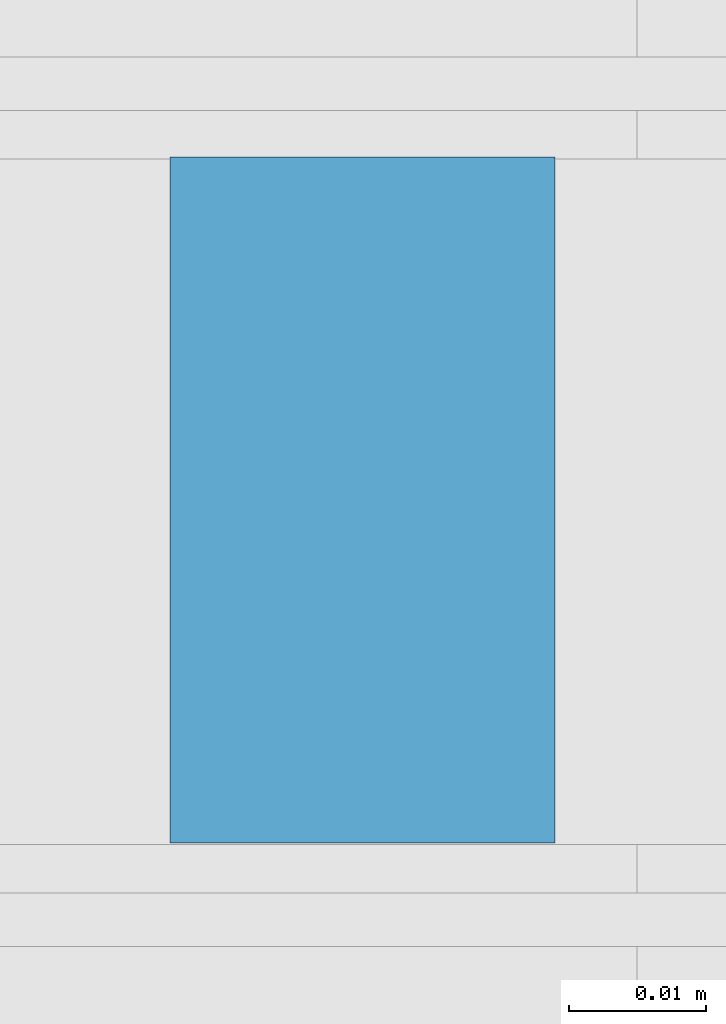
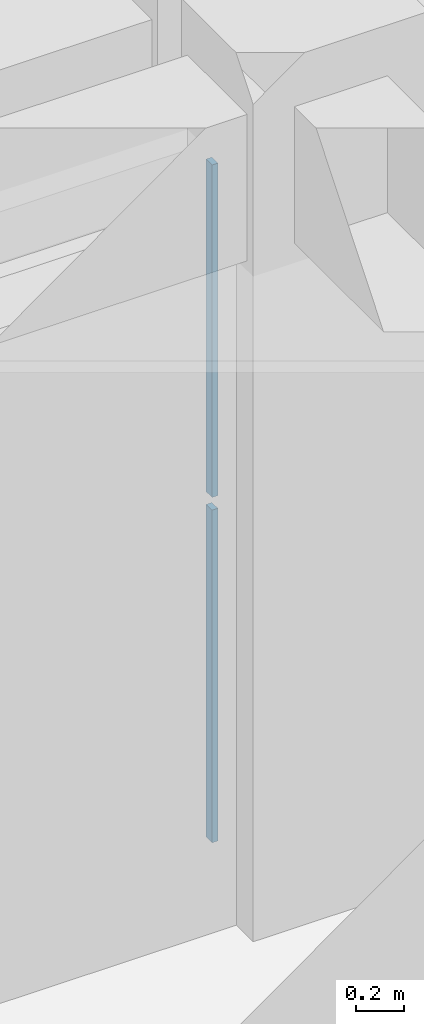
# One storey, part 94 of 129: 2 plates, 1 element without a shape of its own.
"""IFC4 building model written with IfcOpenShell, lengths in metres."""

import ifcopenshell
import ifcopenshell.guid

model = None  # the IFC model being written
_history = None  # IfcOwnerHistory: only IFC2X3 demands one
_inside = {}  # id of a spatial element -> (the spatial element, [elements in it])
_under = {}  # id of a project, library or spatial element -> (it, [spatial elements below it])
_declared = {}  # id of a project -> (the project, [libraries it declares])
_typed = {}  # id of a type object -> (the type object, [elements of that type])
_made_of = {}  # id of a material, layer set ... -> (it, [elements and type objects made of it])


def new_model(schema):
    """Start an empty IFC model of exactly this schema.

    Asked for "IFC4X3", IfcOpenShell would pick the latest addendum, in which some entities
    have other attributes; the version numbers below select the first issue.
    IFC2X3 requires an IfcOwnerHistory on every rooted entity: one is made here for all.
    """
    global model, _history
    if schema == "IFC4X3":
        model = ifcopenshell.file(schema_version=(4, 3, 0, 0))
    else:
        model = ifcopenshell.file(schema=schema)
    _inside.clear()
    _under.clear()
    _declared.clear()
    _typed.clear()
    _made_of.clear()
    _history = None
    if model.schema == "IFC2X3":
        org = make("IfcOrganization", Name="unknown")
        user = make(
            "IfcPersonAndOrganization",
            ThePerson=make("IfcPerson", FamilyName="unknown"),
            TheOrganization=org,
        )
        app = make(
            "IfcApplication",
            ApplicationDeveloper=org,
            Version="unknown",
            ApplicationFullName="unknown",
            ApplicationIdentifier="unknown",
        )
        _history = make(
            "IfcOwnerHistory",
            OwningUser=user,
            OwningApplication=app,
            ChangeAction="ADDED",
            CreationDate=0,
        )
    return model


def make(cls, **values):
    """One entity of the class cls with the attributes given. An attribute that is None is left unset."""
    return model.create_entity(
        cls, **{name: value for name, value in values.items() if value is not None}
    )


def rooted(cls, **values):
    """An entity with a GlobalId (a new one), such as an element, a storey or a relation."""
    return make(cls, GlobalId=ifcopenshell.guid.new(), OwnerHistory=_history, **values)


def si_unit(unit_type, name, prefix=None):
    """IfcSIUnit, for example si_unit("LENGTHUNIT", "METRE", prefix="MILLI")."""
    return make("IfcSIUnit", UnitType=unit_type, Prefix=prefix, Name=name)


def assignment(units):
    """IfcUnitAssignment: the units of a project."""
    return None if units is None else make("IfcUnitAssignment", Units=units)


def point(xyz):
    """IfcCartesianPoint."""
    return None if xyz is None else make("IfcCartesianPoint", Coordinates=xyz)


def direction(xyz):
    """IfcDirection."""
    return None if xyz is None else make("IfcDirection", DirectionRatios=xyz)


def frame(location, z_axis=None, x_axis=None):
    """IfcAxis2Placement3D, a coordinate frame: its origin and axes. An axis left out is left unset."""
    return make(
        "IfcAxis2Placement3D",
        Location=point(location),
        Axis=direction(z_axis),
        RefDirection=direction(x_axis),
    )


def frame_2d(location, x_axis=None):
    """IfcAxis2Placement2D, a coordinate frame in the plane: its origin and x axis."""
    return make(
        "IfcAxis2Placement2D", Location=point(location), RefDirection=direction(x_axis)
    )


def origin():
    """The frame at (0, 0, 0) with its axes left unset."""
    return frame((0.0, 0.0, 0.0))


def origin_2d():
    """The frame at (0, 0) in the plane with its x axis left unset."""
    return frame_2d((0.0, 0.0))


def place(relative_to, where):
    """IfcLocalPlacement: puts the frame where relative to a parent placement (None: the world)."""
    return make(
        "IfcLocalPlacement", PlacementRelTo=relative_to, RelativePlacement=where
    )


def context(
    kind, dimensions, precision=None, world=None, true_north=None, identifier=None
):
    """IfcGeometricRepresentationContext, for example the 3D "Model" context."""
    return make(
        "IfcGeometricRepresentationContext",
        ContextIdentifier=identifier,
        ContextType=kind,
        CoordinateSpaceDimension=dimensions,
        Precision=precision,
        WorldCoordinateSystem=world,
        TrueNorth=true_north,
    )


def subcontext(parent, identifier, kind, view, scale=None):
    """IfcGeometricRepresentationSubContext, for example "Body" below "Model"."""
    return make(
        "IfcGeometricRepresentationSubContext",
        ContextIdentifier=identifier,
        ContextType=kind,
        ParentContext=parent,
        TargetScale=scale,
        TargetView=view,
    )


def project(units=None, contexts=None):
    """IfcProject with its units and contexts."""
    return rooted(
        "IfcProject",
        Name="project",
        RepresentationContexts=contexts,
        UnitsInContext=assignment(units),
    )


def spatial(cls, under=None, at=None, **own):
    """A site, building, storey or space (cls), placed at a placement, below another one or the project."""
    s = rooted(cls, ObjectPlacement=at, **own)
    if under is not None:
        _under.setdefault(under.id(), (under, []))[1].append(s)
    return s


def profile(cls, at=None, kind="AREA", **sizes):
    """A parametric profile (cls). Its sizes go by their IFC names, for example OverallWidth=200.0."""
    return make(cls, ProfileType=kind, Position=at, **sizes)


def rectangle(**sizes):
    """IfcRectangleProfileDef."""
    return profile("IfcRectangleProfileDef", **sizes)


def extrude(swept, where, along, depth):
    """IfcExtrudedAreaSolid: the profile swept, set in the frame where, extruded along a direction by depth."""
    return make(
        "IfcExtrudedAreaSolid",
        SweptArea=swept,
        Position=where,
        ExtrudedDirection=direction(along),
        Depth=depth,
    )


def shape(context_of_items, identifier, shape_type, items):
    """IfcShapeRepresentation: the items that make up one representation, for example the "Body"."""
    return make(
        "IfcShapeRepresentation",
        ContextOfItems=context_of_items,
        RepresentationIdentifier=identifier,
        RepresentationType=shape_type,
        Items=items,
    )


def material(Name=None, Category=None):
    """IfcMaterial."""
    return make("IfcMaterial", Name=Name, Category=Category)


def layer(
    of_material, thickness, ventilated=None, Name=None, Category=None, Priority=None
):
    """IfcMaterialLayer: one layer of a wall or slab, of a material (None: an air gap)."""
    return make(
        "IfcMaterialLayer",
        Material=of_material,
        LayerThickness=thickness,
        IsVentilated=ventilated,
        Name=Name,
        Category=Category,
        Priority=Priority,
    )


def layer_set(layers, Name=None):
    """IfcMaterialLayerSet."""
    return make("IfcMaterialLayerSet", MaterialLayers=layers, LayerSetName=Name)


def made_of(thing, what):
    """Note that an element or type object is made of a material, layer set ...; save() writes the relation."""
    if what is not None:
        _made_of.setdefault(what.id(), (what, []))[1].append(thing)
    return thing


def type_object(cls, material=None, **own):
    """A type object (cls), such as IfcWallType, which elements share."""
    return made_of(rooted(cls, **own), material)


def element(
    cls,
    number,
    at=None,
    inside=None,
    cuts=None,
    type_object=None,
    material=None,
    context=None,
    identifier="Body",
    shape_type=None,
    held_by="IfcProductDefinitionShape",
    body=None,
    shapes=None,
    **own,
):
    """One element of the class cls, such as IfcWall. Its Tag is "e" and its number.

    at: its placement. inside: the storey or other place that contains it. cuts: it is an
    opening in that element (IfcRelVoidsElement). A single representation is given by context,
    identifier, shape_type and body (its items); several are given by shapes. held_by: the class
    of the entity that holds the representations. save() writes the other relations.
    """
    e = rooted(cls, Tag="e%d" % number, ObjectPlacement=at, **own)
    if body is not None:
        shapes = [shape(context, identifier, shape_type, body)]
    if shapes is not None:
        e.Representation = make(held_by, Representations=shapes)
    if inside is not None:
        _inside.setdefault(inside.id(), (inside, []))[1].append(e)
    if cuts is not None:
        rooted(
            "IfcRelVoidsElement", RelatingBuildingElement=cuts, RelatedOpeningElement=e
        )
    if type_object is not None:
        _typed.setdefault(type_object.id(), (type_object, []))[1].append(e)
    return made_of(e, material)


def aggregate(whole, parts):
    """IfcRelAggregates: a whole, such as a stair, and the parts it consists of."""
    return rooted("IfcRelAggregates", RelatingObject=whole, RelatedObjects=parts)


def save(model, path):
    """Write the relations noted so far, then the file.

    IfcRelAggregates (storeys below a building ...), IfcRelContainedInSpatialStructure (elements
    in a storey), IfcRelDefinesByType, IfcRelAssociatesMaterial and IfcRelDeclares: one each for
    every whole, place, type object, material and project.
    """
    for whole, parts in _under.values():
        aggregate(whole, parts)
    for where, things in _inside.values():
        rooted(
            "IfcRelContainedInSpatialStructure",
            RelatedElements=things,
            RelatingStructure=where,
        )
    for kind, things in _typed.values():
        rooted("IfcRelDefinesByType", RelatedObjects=things, RelatingType=kind)
    for what, things in _made_of.values():
        rooted("IfcRelAssociatesMaterial", RelatedObjects=things, RelatingMaterial=what)
    for by, libraries in _declared.values():
        rooted("IfcRelDeclares", RelatingContext=by, RelatedDefinitions=libraries)
    model.write(path)


model = new_model("IFC4")

# Units and contexts
model_context = context("Model", 3, precision=1e-05, world=origin(), true_north=direction((0.0, 1.0)))
body_context = subcontext(model_context, "Body", "Model", "MODEL_VIEW")
ifc_project = project(units=[si_unit("LENGTHUNIT", "METRE"), si_unit("AREAUNIT", "SQUARE_METRE"), si_unit("VOLUMEUNIT", "CUBIC_METRE"), si_unit("PLANEANGLEUNIT", "RADIAN"), si_unit("MASSUNIT", "GRAM", prefix="KILO")], contexts=[model_context])

# Site, building, storey
site_placement = place(None, origin())
site = spatial("IfcSite", under=ifc_project, at=site_placement, CompositionType="ELEMENT")
building_placement = place(site_placement, origin())
building = spatial("IfcBuilding", under=site, at=building_placement, Name="Xazarin Passage Department Store", CompositionType="ELEMENT")
storey_placement = place(building_placement, frame((0.0, 0.0, 9.89990234375)))
storey = spatial("IfcBuildingStorey", under=building, at=storey_placement, Name="L02", CompositionType="ELEMENT", Elevation=9.89990234375)

# Curtain wall, plates
ifc_material_1 = material(Name="Bronze anodised aluminium", Category="aluminium")
ifc_layer_1 = layer(ifc_material_1, 0.14990234375)
ifc_layer_set_1 = layer_set([ifc_layer_1], Name="Bronze anodised aluminium")
curtain_wall_type = type_object("IfcCurtainWallType", Name="ARC-CW-BRG1", PredefinedType="NOTDEFINED", material=ifc_layer_set_1)
curtain_wall_placement = place(storey_placement, origin())
curtain_wall = element("IfcCurtainWall", 1, at=curtain_wall_placement, inside=storey, type_object=curtain_wall_type, Name="L02 BR-V2S-V2N Bridge Curtain Wall 2", PredefinedType="NOTDEFINED")
ifc_material_2 = material(Name="Low-E laminated safety glass", Category="glass")
ifc_layer_2 = layer(ifc_material_2, 0.028076171875)
ifc_layer_set_2 = layer_set([ifc_layer_2], Name="Low-E laminated safety glass")
plate_type = type_object("IfcPlateType", Name="ARC-CWP-GLZ28", PredefinedType="CURTAIN_PANEL", material=ifc_layer_set_2)
plate_1_placement = place(storey_placement, frame((92.97998046875, 50.800048828125, 0.06494140625), z_axis=(0.0, 0.0, 1.0), x_axis=(0.0, 1.0, 0.0)))
plate_1 = element("IfcPlate", 2, at=plate_1_placement, type_object=plate_type, Name="CW7 panel 1.1", PredefinedType="CURTAIN_PANEL", context=body_context, shape_type="SweptSolid", body=[
    extrude(rectangle(XDim=0.050048828125, YDim=0.028076171875, at=origin_2d()), origin(), (0.0, 0.0, 1.0), 1.702392578125),
])
plate_2_placement = place(storey_placement, frame((92.97998046875, 50.800048828125, 1.83251953125), z_axis=(0.0, 0.0, 1.0), x_axis=(0.0, 1.0, 0.0)))
plate_2 = element("IfcPlate", 3, at=plate_2_placement, type_object=plate_type, Name="CW7 panel 1.2", PredefinedType="CURTAIN_PANEL", context=body_context, shape_type="SweptSolid", body=[
    extrude(rectangle(XDim=0.050048828125, YDim=0.028076171875, at=origin_2d()), origin(), (0.0, 0.0, 1.0), 1.702392578125),
])
aggregate(curtain_wall, [plate_1, plate_2])

save(model, "model.ifc")
